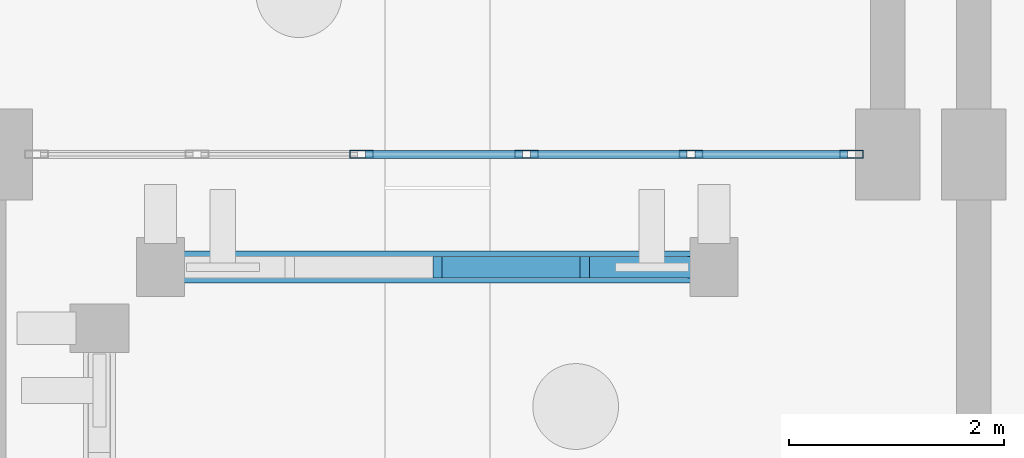
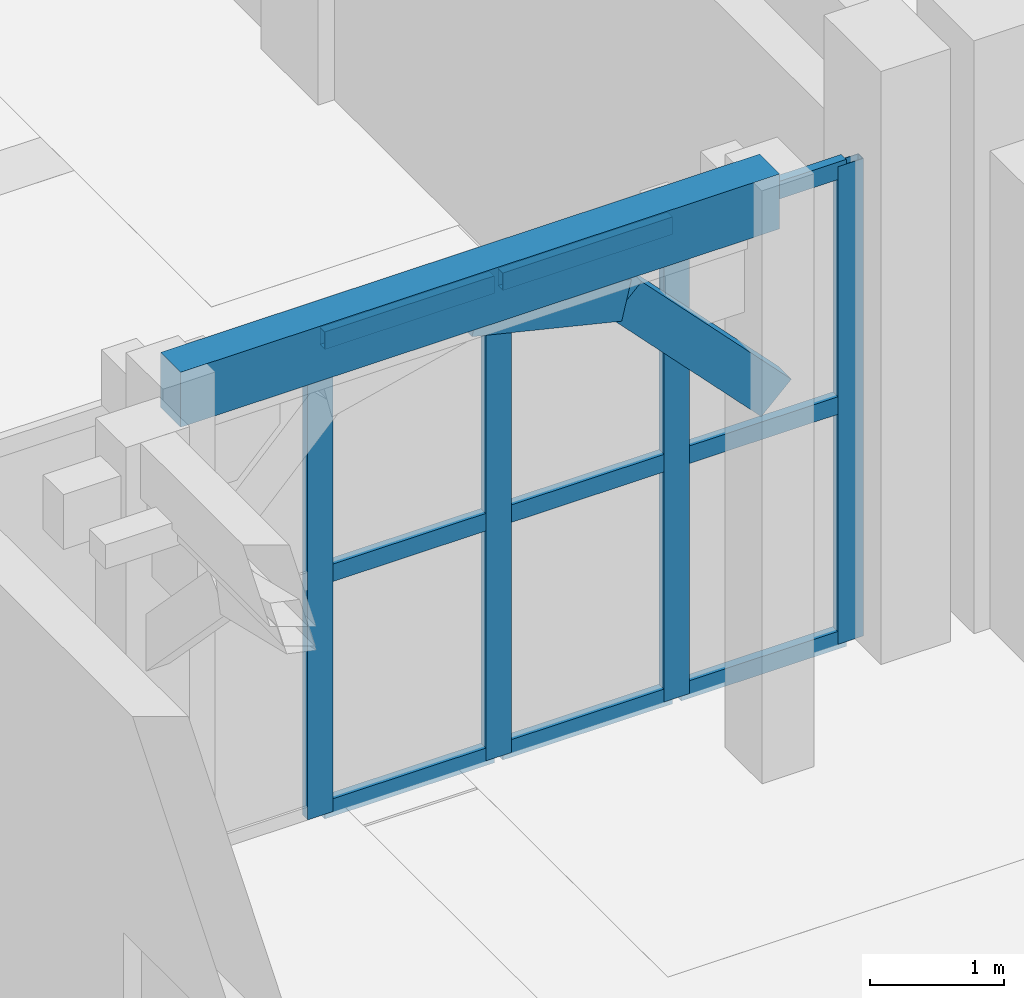
# One storey, part 25 of 98: 15 members, 1 beam, 1 element without a shape of its own.
"""IFC4 building model written with IfcOpenShell, lengths in metres."""

from ifc_helpers import new_model, si_unit, direction, frame, origin, origin_2d, place, context, subcontext, project, spatial, rectangle, hollow_rectangle, extrude, material, layer, layer_set, material_profile, profile_set, type_object, element, aggregate, save


model = new_model("IFC4")

# Units and contexts
model_context = context("Model", 3, precision=1e-05, world=origin(), true_north=direction((0.0, 1.0)))
body_context = subcontext(model_context, "Body", "Model", "MODEL_VIEW")
ifc_project = project(units=[si_unit("LENGTHUNIT", "METRE"), si_unit("AREAUNIT", "SQUARE_METRE"), si_unit("VOLUMEUNIT", "CUBIC_METRE"), si_unit("PLANEANGLEUNIT", "RADIAN"), si_unit("MASSUNIT", "GRAM", prefix="KILO")], contexts=[model_context])

# Site, building, storey
site_placement = place(None, origin())
site = spatial("IfcSite", under=ifc_project, at=site_placement, CompositionType="ELEMENT")
building_placement = place(site_placement, origin())
building = spatial("IfcBuilding", under=site, at=building_placement, Name="Xazarin Passage Department Store", CompositionType="ELEMENT")
storey_placement = place(building_placement, origin())
storey = spatial("IfcBuildingStorey", under=building, at=storey_placement, Name="L00", CompositionType="ELEMENT", Elevation=0.0)

# Curtain wall, members
ifc_material_1 = material(Name="Bronze anodised aluminium", Category="aluminium")
ifc_layer = layer(ifc_material_1, 0.179931640625)
ifc_layer_set = layer_set([ifc_layer], Name="Bronze anodised aluminium")
curtain_wall_type = type_object("IfcCurtainWallType", Name="ARC-CW-VIT1", PredefinedType="NOTDEFINED", material=ifc_layer_set)
curtain_wall_placement = place(storey_placement, origin())
curtain_wall = element("IfcCurtainWall", 1, at=curtain_wall_placement, inside=storey, type_object=curtain_wall_type, Name="L00 V1 Curtain Wall 001", PredefinedType="NOTDEFINED")
ifc_material_profile_1 = material_profile(ifc_material_1, hollow_rectangle(XDim=0.074951171875, YDim=0.219970703125, WallThickness=0.0048828125, at=origin_2d()), Name="ALU 75x220")
ifc_profile_set_1 = profile_set([ifc_material_profile_1], Name="Bronze anodised aluminium")
member_type_1 = type_object("IfcMemberType", Name="ARC-CWM-75x220", PredefinedType="MULLION", material=ifc_profile_set_1)
member_1_placement = place(storey_placement, frame((62.294921875, 59.60009765625, 0.0), z_axis=(0.0, 0.0, 1.0), x_axis=(0.0, 1.0, 0.0)))
member_1 = element("IfcMember", 2, at=member_1_placement, type_object=member_type_1, Name="CW1 mullion 3", PredefinedType="MULLION", context=body_context, shape_type="SweptSolid", body=[
    extrude(hollow_rectangle(XDim=0.074951171875, YDim=0.219970703125, WallThickness=0.0048828125, at=origin_2d()), origin(), (0.0, 0.0, 1.0), 4.35009765625),
])
member_2_placement = place(storey_placement, frame((63.830078125, 59.60009765625, 0.0), z_axis=(0.0, 0.0, 1.0), x_axis=(0.0, 1.0, 0.0)))
member_2 = element("IfcMember", 3, at=member_2_placement, type_object=member_type_1, Name="CW1 mullion 4", PredefinedType="MULLION", context=body_context, shape_type="SweptSolid", body=[
    extrude(hollow_rectangle(XDim=0.074951171875, YDim=0.219970703125, WallThickness=0.0048828125, at=origin_2d()), origin(), (0.0, 0.0, 1.0), 4.35009765625),
])
member_3_placement = place(storey_placement, frame((65.364990234375, 59.60009765625, 0.0), z_axis=(0.0, 0.0, 1.0), x_axis=(0.0, 1.0, 0.0)))
member_3 = element("IfcMember", 4, at=member_3_placement, type_object=member_type_1, Name="CW1 mullion 5", PredefinedType="MULLION", context=body_context, shape_type="SweptSolid", body=[
    extrude(hollow_rectangle(XDim=0.074951171875, YDim=0.219970703125, WallThickness=0.0048828125, at=origin_2d()), origin(), (0.0, 0.0, 1.0), 4.35009765625),
])
member_4_placement = place(storey_placement, frame((66.862548828125, 59.60009765625, 0.0), z_axis=(0.0, 0.0, 1.0), x_axis=(0.0, 1.0, 0.0)))
member_4 = element("IfcMember", 5, at=member_4_placement, type_object=member_type_1, Name="CW1 mullion 6", PredefinedType="MULLION", context=body_context, shape_type="SweptSolid", body=[
    extrude(hollow_rectangle(XDim=0.074951171875, YDim=0.219970703125, WallThickness=0.0048828125, at=origin_2d()), origin(), (0.0, 0.0, 1.0), 4.35009765625),
])
ifc_material_profile_2 = material_profile(ifc_material_1, hollow_rectangle(XDim=0.074951171875, YDim=0.159912109375, WallThickness=0.00439453125, at=origin_2d()), Name="ALU 75x160")
ifc_profile_set_2 = profile_set([ifc_material_profile_2], Name="Bronze anodised aluminium")
member_type_2 = type_object("IfcMemberType", Name="ARC-CWT-75x160", PredefinedType="USERDEFINED", material=ifc_profile_set_2)
member_5_placement = place(storey_placement, frame((62.33251953125, 59.60009765625, 0.03759765625), z_axis=(1.0, 0.0, 0.0), x_axis=(0.0, 1.0, 0.0)))
member_5 = element("IfcMember", 6, at=member_5_placement, type_object=member_type_2, Name="CW1 transom 3.1", ObjectType="TRANSOM", PredefinedType="USERDEFINED", context=body_context, shape_type="SweptSolid", body=[
    extrude(hollow_rectangle(XDim=0.074951171875, YDim=0.159912109375, WallThickness=0.00439453125, at=origin_2d()), origin(), (0.0, 0.0, 1.0), 1.4599609375),
])
member_6_placement = place(storey_placement, frame((62.33251953125, 59.60009765625, 2.175048828125), z_axis=(1.0, 0.0, 0.0), x_axis=(0.0, 1.0, 0.0)))
member_6 = element("IfcMember", 7, at=member_6_placement, type_object=member_type_2, Name="CW1 transom 3.2", ObjectType="TRANSOM", PredefinedType="USERDEFINED", context=body_context, shape_type="SweptSolid", body=[
    extrude(hollow_rectangle(XDim=0.074951171875, YDim=0.159912109375, WallThickness=0.00439453125, at=origin_2d()), origin(), (0.0, 0.0, 1.0), 1.4599609375),
])
member_7_placement = place(storey_placement, frame((62.33251953125, 59.60009765625, 4.3125), z_axis=(1.0, 0.0, 0.0), x_axis=(0.0, 1.0, 0.0)))
member_7 = element("IfcMember", 8, at=member_7_placement, type_object=member_type_2, Name="CW1 transom 3.3", ObjectType="TRANSOM", PredefinedType="USERDEFINED", context=body_context, shape_type="SweptSolid", body=[
    extrude(hollow_rectangle(XDim=0.074951171875, YDim=0.159912109375, WallThickness=0.00439453125, at=origin_2d()), origin(), (0.0, 0.0, 1.0), 1.4599609375),
])
member_8_placement = place(storey_placement, frame((63.867431640625, 59.60009765625, 0.03759765625), z_axis=(1.0, 0.0, 0.0), x_axis=(0.0, 1.0, 0.0)))
member_8 = element("IfcMember", 9, at=member_8_placement, type_object=member_type_2, Name="CW1 transom 4.1", ObjectType="TRANSOM", PredefinedType="USERDEFINED", context=body_context, shape_type="SweptSolid", body=[
    extrude(hollow_rectangle(XDim=0.074951171875, YDim=0.159912109375, WallThickness=0.00439453125, at=origin_2d()), origin(), (0.0, 0.0, 1.0), 1.4599609375),
])
member_9_placement = place(storey_placement, frame((63.867431640625, 59.60009765625, 2.175048828125), z_axis=(1.0, 0.0, 0.0), x_axis=(0.0, 1.0, 0.0)))
member_9 = element("IfcMember", 10, at=member_9_placement, type_object=member_type_2, Name="CW1 transom 4.2", ObjectType="TRANSOM", PredefinedType="USERDEFINED", context=body_context, shape_type="SweptSolid", body=[
    extrude(hollow_rectangle(XDim=0.074951171875, YDim=0.159912109375, WallThickness=0.00439453125, at=origin_2d()), origin(), (0.0, 0.0, 1.0), 1.4599609375),
])
member_10_placement = place(storey_placement, frame((63.867431640625, 59.60009765625, 4.3125), z_axis=(1.0, 0.0, 0.0), x_axis=(0.0, 1.0, 0.0)))
member_10 = element("IfcMember", 11, at=member_10_placement, type_object=member_type_2, Name="CW1 transom 4.3", ObjectType="TRANSOM", PredefinedType="USERDEFINED", context=body_context, shape_type="SweptSolid", body=[
    extrude(hollow_rectangle(XDim=0.074951171875, YDim=0.159912109375, WallThickness=0.00439453125, at=origin_2d()), origin(), (0.0, 0.0, 1.0), 1.4599609375),
])
member_11_placement = place(storey_placement, frame((65.402587890625, 59.60009765625, 0.03759765625), z_axis=(1.0, 0.0, 0.0), x_axis=(0.0, 1.0, 0.0)))
member_11 = element("IfcMember", 12, at=member_11_placement, type_object=member_type_2, Name="CW1 transom 5.1", ObjectType="TRANSOM", PredefinedType="USERDEFINED", context=body_context, shape_type="SweptSolid", body=[
    extrude(hollow_rectangle(XDim=0.074951171875, YDim=0.159912109375, WallThickness=0.00439453125, at=origin_2d()), origin(), (0.0, 0.0, 1.0), 1.42236328125),
])
member_12_placement = place(storey_placement, frame((65.402587890625, 59.60009765625, 2.175048828125), z_axis=(1.0, 0.0, 0.0), x_axis=(0.0, 1.0, 0.0)))
member_12 = element("IfcMember", 13, at=member_12_placement, type_object=member_type_2, Name="CW1 transom 5.2", ObjectType="TRANSOM", PredefinedType="USERDEFINED", context=body_context, shape_type="SweptSolid", body=[
    extrude(hollow_rectangle(XDim=0.074951171875, YDim=0.159912109375, WallThickness=0.00439453125, at=origin_2d()), origin(), (0.0, 0.0, 1.0), 1.42236328125),
])
member_13_placement = place(storey_placement, frame((65.402587890625, 59.60009765625, 4.3125), z_axis=(1.0, 0.0, 0.0), x_axis=(0.0, 1.0, 0.0)))
member_13 = element("IfcMember", 14, at=member_13_placement, type_object=member_type_2, Name="CW1 transom 5.3", ObjectType="TRANSOM", PredefinedType="USERDEFINED", context=body_context, shape_type="SweptSolid", body=[
    extrude(hollow_rectangle(XDim=0.074951171875, YDim=0.159912109375, WallThickness=0.00439453125, at=origin_2d()), origin(), (0.0, 0.0, 1.0), 1.42236328125),
])
aggregate(curtain_wall, [member_1, member_2, member_3, member_4, member_5, member_6, member_7, member_8, member_9, member_10, member_11, member_12, member_13])

# Beam
ifc_material_2 = material(Name="Concrete C35/45", Category="concrete")
ifc_material_profile_3 = material_profile(ifc_material_2, rectangle(XDim=0.300048828125, YDim=0.5, at=origin_2d()), Name="RC 300x500")
ifc_profile_set_3 = profile_set([ifc_material_profile_3], Name="Concrete C35/45")
beam_type = type_object("IfcBeamType", Name="STR-BM-LN300x500", PredefinedType="LINTEL", material=ifc_profile_set_3)
beam_placement = place(storey_placement, frame((60.419921875, 58.550048828125, 5.14990234375), z_axis=(1.0, 0.0, 0.0), x_axis=(0.0, 1.0, 0.0)))
element("IfcBeam", 15, at=beam_placement, inside=storey, type_object=beam_type, Name="L00 V1 Colonnade Spandrel Beam 006", PredefinedType="LINTEL", context=body_context, shape_type="SweptSolid", body=[
    extrude(rectangle(XDim=0.300048828125, YDim=0.5, at=origin_2d()), origin(), (0.0, 0.0, 1.0), 5.16015625),
])

# Members
ifc_material_3 = material(Name="Concrete C40/50", Category="concrete")
ifc_material_profile_4 = material_profile(ifc_material_3, rectangle(XDim=0.199951171875, YDim=0.360107421875, at=origin_2d()), Name="RC 200x360")
ifc_profile_set_4 = profile_set([ifc_material_profile_4], Name="Concrete C40/50")
member_type_3 = type_object("IfcMemberType", Name="STR-MEM-ARC360", PredefinedType="CHORD", material=ifc_profile_set_4)
member_14_placement = place(storey_placement, frame((63.0, 58.550048828125, 4.97998046875), z_axis=(0.972393983317, 0.0, -0.233345111818), x_axis=(0.0, 1.0, 0.0)))
element("IfcMember", 16, at=member_14_placement, inside=storey, type_object=member_type_3, Name="L00 V1 Pierced Lattice Curved Arch 006.3", PredefinedType="CHORD", context=body_context, shape_type="SweptSolid", body=[
    extrude(rectangle(XDim=0.199951171875, YDim=0.360107421875, at=origin_2d()), origin(), (0.0, 0.0, 1.0), 1.32666015625),
])
member_15_placement = place(storey_placement, frame((64.2900390625, 58.550048828125, 4.67041015625), z_axis=(0.693460080602, 0.0, -0.720495049679), x_axis=(0.0, 1.0, 0.0)))
element("IfcMember", 17, at=member_15_placement, inside=storey, type_object=member_type_3, Name="L00 V1 Pierced Lattice Curved Arch 006.4", PredefinedType="CHORD", context=body_context, shape_type="SweptSolid", body=[
    extrude(rectangle(XDim=0.199951171875, YDim=0.360107421875, at=origin_2d()), origin(), (0.0, 0.0, 1.0), 1.8603515625),
])

save(model, "model.ifc")
